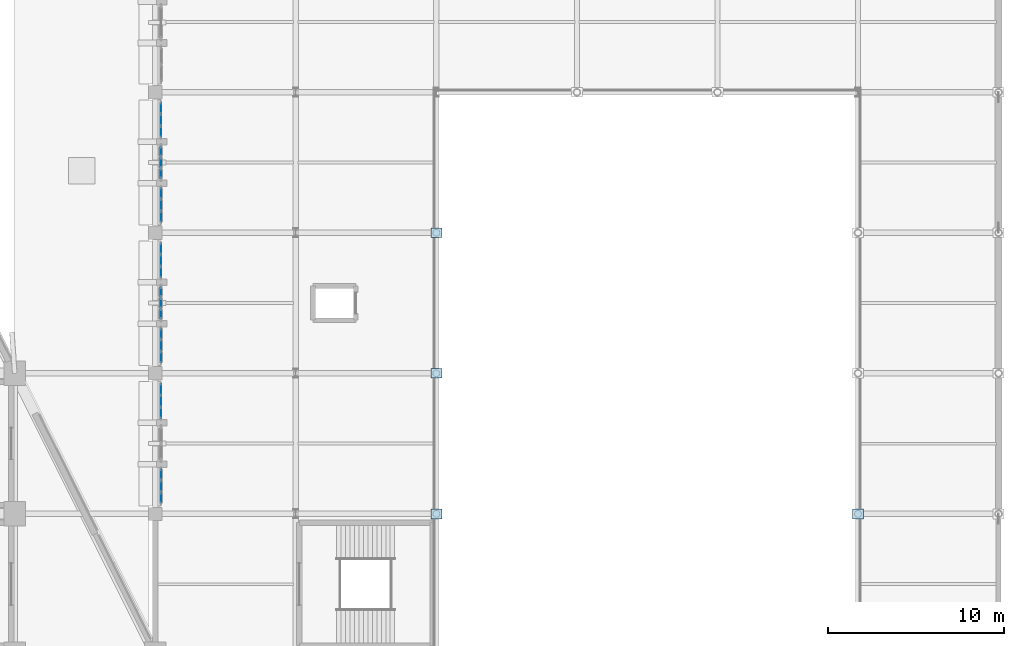
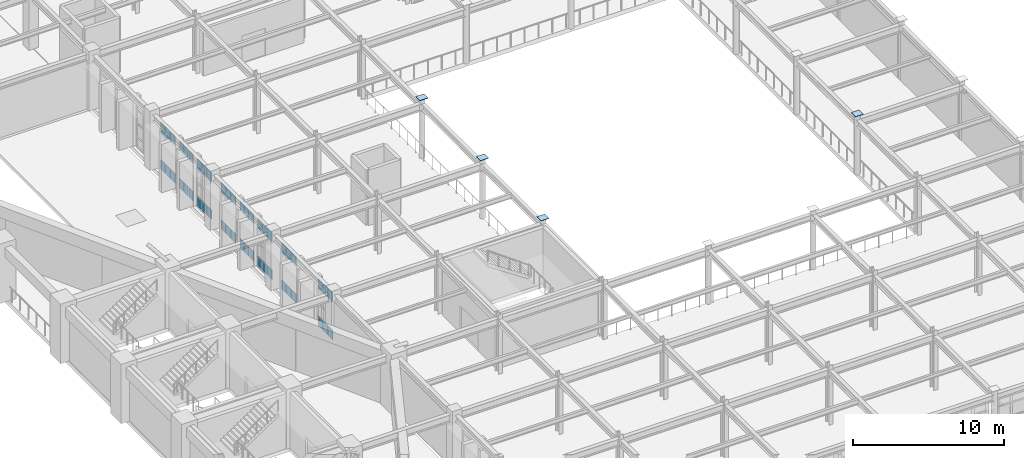
# One storey, part 130 of 155: 52 plates, 8 elements without a shape of their own.
"""IFC4 building model written with IfcOpenShell, lengths in metres."""

from ifc_helpers import new_model, si_unit, direction, frame, origin, origin_2d, place, context, subcontext, project, spatial, rectangle, extrude, material, layer, layer_set, type_object, element, aggregate, save


model = new_model("IFC4")

# Units and contexts
model_context = context("Model", 3, precision=1e-05, world=origin(), true_north=direction((0.0, 1.0)))
body_context = subcontext(model_context, "Body", "Model", "MODEL_VIEW")
ifc_project = project(units=[si_unit("LENGTHUNIT", "METRE"), si_unit("AREAUNIT", "SQUARE_METRE"), si_unit("VOLUMEUNIT", "CUBIC_METRE"), si_unit("PLANEANGLEUNIT", "RADIAN"), si_unit("MASSUNIT", "GRAM", prefix="KILO")], contexts=[model_context])

# Site, building, storey
site_placement = place(None, origin())
site = spatial("IfcSite", under=ifc_project, at=site_placement, CompositionType="ELEMENT")
building_placement = place(site_placement, origin())
building = spatial("IfcBuilding", under=site, at=building_placement, Name="Tazarka Park Arena", CompositionType="ELEMENT")
storey_placement = place(building_placement, frame((0.0, 0.0, 5.39990234375)))
storey = spatial("IfcBuildingStorey", under=building, at=storey_placement, Name="L01", CompositionType="ELEMENT", Elevation=5.39990234375)

# Curtain wall, plates
ifc_material_1 = material(Name="Aluminium and low-e glass", Category="aluminium")
ifc_layer_1 = layer(ifc_material_1, 0.179931640625, Name="Aluminium and low-e glass")
ifc_layer_set_1 = layer_set([ifc_layer_1], Name="Aluminium and low-e glass")
curtain_wall_type_1 = type_object("IfcCurtainWallType", Name="CW-03", PredefinedType="NOTDEFINED", material=ifc_layer_set_1)
curtain_wall_1_placement = place(storey_placement, origin())
curtain_wall_1 = element("IfcCurtainWall", 1, at=curtain_wall_1_placement, inside=storey, type_object=curtain_wall_type_1, Name="Curtain Wall CWA-L01-153", PredefinedType="NOTDEFINED")
ifc_material_2 = material(Name="Double low-e insulated glazing", Category="glass")
ifc_layer_2 = layer(ifc_material_2, 0.028076171875, Name="Double low-e insulated glazing")
ifc_layer_set_2 = layer_set([ifc_layer_2], Name="Double low-e insulated glazing")
plate_type_1 = type_object("IfcPlateType", Name="CWP-01", PredefinedType="CURTAIN_PANEL", material=ifc_layer_set_2)
plate_1_placement = place(storey_placement, frame((136.320068359375, 93.750244140625, 0.065185546875), z_axis=(0.0, 0.0, 1.0), x_axis=(0.0, 1.0, 0.0)))
plate_1 = element("IfcPlate", 2, at=plate_1_placement, type_object=plate_type_1, Name="CW-03 panel 1.1", PredefinedType="CURTAIN_PANEL", context=body_context, shape_type="SweptSolid", body=[
    extrude(rectangle(XDim=0.5869140625, YDim=0.028076171875, at=origin_2d()), origin(), (0.0, 0.0, 1.0), 0.75244140625),
])
plate_2_placement = place(storey_placement, frame((136.320068359375, 93.750244140625, 3.08251953125), z_axis=(0.0, 0.0, 1.0), x_axis=(0.0, 1.0, 0.0)))
plate_2 = element("IfcPlate", 3, at=plate_2_placement, type_object=plate_type_1, Name="CW-03 panel 1.4", PredefinedType="CURTAIN_PANEL", context=body_context, shape_type="SweptSolid", body=[
    extrude(rectangle(XDim=0.5869140625, YDim=0.028076171875, at=origin_2d()), origin(), (0.0, 0.0, 1.0), 0.762451171875),
])
plate_3_placement = place(storey_placement, frame((136.320068359375, 94.41845703125, 0.065185546875), z_axis=(0.0, 0.0, 1.0), x_axis=(0.0, 1.0, 0.0)))
plate_3 = element("IfcPlate", 4, at=plate_3_placement, type_object=plate_type_1, Name="CW-03 panel 2.1", PredefinedType="CURTAIN_PANEL", context=body_context, shape_type="SweptSolid", body=[
    extrude(rectangle(XDim=0.619384765625, YDim=0.028076171875, at=origin_2d()), origin(), (0.0, 0.0, 1.0), 0.75244140625),
])
plate_4_placement = place(storey_placement, frame((136.320068359375, 94.41845703125, 3.08251953125), z_axis=(0.0, 0.0, 1.0), x_axis=(0.0, 1.0, 0.0)))
plate_4 = element("IfcPlate", 5, at=plate_4_placement, type_object=plate_type_1, Name="CW-03 panel 2.4", PredefinedType="CURTAIN_PANEL", context=body_context, shape_type="SweptSolid", body=[
    extrude(rectangle(XDim=0.619384765625, YDim=0.028076171875, at=origin_2d()), origin(), (0.0, 0.0, 1.0), 0.762451171875),
])
plate_5_placement = place(storey_placement, frame((136.320068359375, 95.08642578125, 0.065185546875), z_axis=(0.0, 0.0, 1.0), x_axis=(0.0, 1.0, 0.0)))
plate_5 = element("IfcPlate", 6, at=plate_5_placement, type_object=plate_type_1, Name="CW-03 panel 3.1", PredefinedType="CURTAIN_PANEL", context=body_context, shape_type="SweptSolid", body=[
    extrude(rectangle(XDim=0.5869140625, YDim=0.028076171875, at=origin_2d()), origin(), (0.0, 0.0, 1.0), 0.75244140625),
])
plate_6_placement = place(storey_placement, frame((136.320068359375, 95.08642578125, 3.08251953125), z_axis=(0.0, 0.0, 1.0), x_axis=(0.0, 1.0, 0.0)))
plate_6 = element("IfcPlate", 7, at=plate_6_placement, type_object=plate_type_1, Name="CW-03 panel 3.4", PredefinedType="CURTAIN_PANEL", context=body_context, shape_type="SweptSolid", body=[
    extrude(rectangle(XDim=0.5869140625, YDim=0.028076171875, at=origin_2d()), origin(), (0.0, 0.0, 1.0), 0.762451171875),
])
aggregate(curtain_wall_1, [plate_1, plate_2, plate_3, plate_4, plate_5, plate_6])

ifc_material_3 = material(Name="Aluminium and low-e glass", Category="aluminium")
ifc_layer_3 = layer(ifc_material_3, 0.179931640625, Name="Aluminium and low-e glass")
ifc_layer_set_3 = layer_set([ifc_layer_3], Name="Aluminium and low-e glass")
curtain_wall_type_2 = type_object("IfcCurtainWallType", Name="CW-06", PredefinedType="NOTDEFINED", material=ifc_layer_set_3)
curtain_wall_2_placement = place(storey_placement, origin())
curtain_wall_2 = element("IfcCurtainWall", 8, at=curtain_wall_2_placement, inside=storey, type_object=curtain_wall_type_2, Name="Curtain Wall CWA-L01-156", PredefinedType="NOTDEFINED")
plate_7_placement = place(storey_placement, frame((136.320068359375, 85.750244140625, 0.065185546875), z_axis=(0.0, 0.0, 1.0), x_axis=(0.0, 1.0, 0.0)))
plate_7 = element("IfcPlate", 9, at=plate_7_placement, type_object=plate_type_1, Name="CW-06 panel 1.1", PredefinedType="CURTAIN_PANEL", context=body_context, shape_type="SweptSolid", body=[
    extrude(rectangle(XDim=0.5869140625, YDim=0.028076171875, at=origin_2d()), origin(), (0.0, 0.0, 1.0), 0.75244140625),
])
plate_8_placement = place(storey_placement, frame((136.320068359375, 85.750244140625, 3.08251953125), z_axis=(0.0, 0.0, 1.0), x_axis=(0.0, 1.0, 0.0)))
plate_8 = element("IfcPlate", 10, at=plate_8_placement, type_object=plate_type_1, Name="CW-06 panel 1.4", PredefinedType="CURTAIN_PANEL", context=body_context, shape_type="SweptSolid", body=[
    extrude(rectangle(XDim=0.5869140625, YDim=0.028076171875, at=origin_2d()), origin(), (0.0, 0.0, 1.0), 0.75244140625),
])
plate_9_placement = place(storey_placement, frame((136.320068359375, 86.41845703125, 0.065185546875), z_axis=(0.0, 0.0, 1.0), x_axis=(0.0, 1.0, 0.0)))
plate_9 = element("IfcPlate", 11, at=plate_9_placement, type_object=plate_type_1, Name="CW-06 panel 2.1", PredefinedType="CURTAIN_PANEL", context=body_context, shape_type="SweptSolid", body=[
    extrude(rectangle(XDim=0.619384765625, YDim=0.028076171875, at=origin_2d()), origin(), (0.0, 0.0, 1.0), 0.75244140625),
])
plate_10_placement = place(storey_placement, frame((136.320068359375, 86.41845703125, 3.08251953125), z_axis=(0.0, 0.0, 1.0), x_axis=(0.0, 1.0, 0.0)))
plate_10 = element("IfcPlate", 12, at=plate_10_placement, type_object=plate_type_1, Name="CW-06 panel 2.4", PredefinedType="CURTAIN_PANEL", context=body_context, shape_type="SweptSolid", body=[
    extrude(rectangle(XDim=0.619384765625, YDim=0.028076171875, at=origin_2d()), origin(), (0.0, 0.0, 1.0), 0.75244140625),
])
plate_11_placement = place(storey_placement, frame((136.320068359375, 87.08642578125, 0.065185546875), z_axis=(0.0, 0.0, 1.0), x_axis=(0.0, 1.0, 0.0)))
plate_11 = element("IfcPlate", 13, at=plate_11_placement, type_object=plate_type_1, Name="CW-06 panel 3.1", PredefinedType="CURTAIN_PANEL", context=body_context, shape_type="SweptSolid", body=[
    extrude(rectangle(XDim=0.5869140625, YDim=0.028076171875, at=origin_2d()), origin(), (0.0, 0.0, 1.0), 0.75244140625),
])
plate_12_placement = place(storey_placement, frame((136.320068359375, 87.08642578125, 3.08251953125), z_axis=(0.0, 0.0, 1.0), x_axis=(0.0, 1.0, 0.0)))
plate_12 = element("IfcPlate", 14, at=plate_12_placement, type_object=plate_type_1, Name="CW-06 panel 3.4", PredefinedType="CURTAIN_PANEL", context=body_context, shape_type="SweptSolid", body=[
    extrude(rectangle(XDim=0.5869140625, YDim=0.028076171875, at=origin_2d()), origin(), (0.0, 0.0, 1.0), 0.75244140625),
])
aggregate(curtain_wall_2, [plate_7, plate_8, plate_9, plate_10, plate_11, plate_12])

ifc_material_4 = material(Name="Aluminium and low-e glass", Category="aluminium")
ifc_layer_4 = layer(ifc_material_4, 0.179931640625, Name="Aluminium and low-e glass")
ifc_layer_set_4 = layer_set([ifc_layer_4], Name="Aluminium and low-e glass")
curtain_wall_type_3 = type_object("IfcCurtainWallType", Name="CW-09", PredefinedType="NOTDEFINED", material=ifc_layer_set_4)
curtain_wall_3_placement = place(storey_placement, origin())
curtain_wall_3 = element("IfcCurtainWall", 15, at=curtain_wall_3_placement, inside=storey, type_object=curtain_wall_type_3, Name="Curtain Wall CWA-L01-159", PredefinedType="NOTDEFINED")
plate_13_placement = place(storey_placement, frame((136.320068359375, 77.750244140625, 0.065185546875), z_axis=(0.0, 0.0, 1.0), x_axis=(0.0, 1.0, 0.0)))
plate_13 = element("IfcPlate", 16, at=plate_13_placement, type_object=plate_type_1, Name="CW-09 panel 1.1", PredefinedType="CURTAIN_PANEL", context=body_context, shape_type="SweptSolid", body=[
    extrude(rectangle(XDim=0.5869140625, YDim=0.028076171875, at=origin_2d()), origin(), (0.0, 0.0, 1.0), 0.75244140625),
])
plate_14_placement = place(storey_placement, frame((136.320068359375, 77.750244140625, 3.08251953125), z_axis=(0.0, 0.0, 1.0), x_axis=(0.0, 1.0, 0.0)))
plate_14 = element("IfcPlate", 17, at=plate_14_placement, type_object=plate_type_1, Name="CW-09 panel 1.4", PredefinedType="CURTAIN_PANEL", context=body_context, shape_type="SweptSolid", body=[
    extrude(rectangle(XDim=0.5869140625, YDim=0.028076171875, at=origin_2d()), origin(), (0.0, 0.0, 1.0), 0.75244140625),
])
plate_15_placement = place(storey_placement, frame((136.320068359375, 78.41845703125, 0.065185546875), z_axis=(0.0, 0.0, 1.0), x_axis=(0.0, 1.0, 0.0)))
plate_15 = element("IfcPlate", 18, at=plate_15_placement, type_object=plate_type_1, Name="CW-09 panel 2.1", PredefinedType="CURTAIN_PANEL", context=body_context, shape_type="SweptSolid", body=[
    extrude(rectangle(XDim=0.619384765625, YDim=0.028076171875, at=origin_2d()), origin(), (0.0, 0.0, 1.0), 0.75244140625),
])
plate_16_placement = place(storey_placement, frame((136.320068359375, 78.41845703125, 3.08251953125), z_axis=(0.0, 0.0, 1.0), x_axis=(0.0, 1.0, 0.0)))
plate_16 = element("IfcPlate", 19, at=plate_16_placement, type_object=plate_type_1, Name="CW-09 panel 2.4", PredefinedType="CURTAIN_PANEL", context=body_context, shape_type="SweptSolid", body=[
    extrude(rectangle(XDim=0.619384765625, YDim=0.028076171875, at=origin_2d()), origin(), (0.0, 0.0, 1.0), 0.75244140625),
])
plate_17_placement = place(storey_placement, frame((136.320068359375, 79.08642578125, 0.065185546875), z_axis=(0.0, 0.0, 1.0), x_axis=(0.0, 1.0, 0.0)))
plate_17 = element("IfcPlate", 20, at=plate_17_placement, type_object=plate_type_1, Name="CW-09 panel 3.1", PredefinedType="CURTAIN_PANEL", context=body_context, shape_type="SweptSolid", body=[
    extrude(rectangle(XDim=0.5869140625, YDim=0.028076171875, at=origin_2d()), origin(), (0.0, 0.0, 1.0), 0.75244140625),
])
plate_18_placement = place(storey_placement, frame((136.320068359375, 79.08642578125, 3.08251953125), z_axis=(0.0, 0.0, 1.0), x_axis=(0.0, 1.0, 0.0)))
plate_18 = element("IfcPlate", 21, at=plate_18_placement, type_object=plate_type_1, Name="CW-09 panel 3.4", PredefinedType="CURTAIN_PANEL", context=body_context, shape_type="SweptSolid", body=[
    extrude(rectangle(XDim=0.5869140625, YDim=0.028076171875, at=origin_2d()), origin(), (0.0, 0.0, 1.0), 0.75244140625),
])
aggregate(curtain_wall_3, [plate_13, plate_14, plate_15, plate_16, plate_17, plate_18])

ifc_material_5 = material(Name="Aluminium and low-e glass", Category="aluminium")
ifc_layer_5 = layer(ifc_material_5, 0.179931640625, Name="Aluminium and low-e glass")
ifc_layer_set_5 = layer_set([ifc_layer_5], Name="Aluminium and low-e glass")
curtain_wall_type_4 = type_object("IfcCurtainWallType", Name="CW-01", PredefinedType="NOTDEFINED", material=ifc_layer_set_5)
curtain_wall_4_placement = place(storey_placement, origin())
curtain_wall_4 = element("IfcCurtainWall", 22, at=curtain_wall_4_placement, inside=storey, type_object=curtain_wall_type_4, Name="Curtain Wall CWA-L01-151", PredefinedType="NOTDEFINED")
ifc_material_6 = material(Name="Triple acoustic solar glazing", Category="glass")
ifc_layer_6 = layer(ifc_material_6, 0.031982421875, Name="Triple acoustic solar glazing")
ifc_layer_set_6 = layer_set([ifc_layer_6], Name="Triple acoustic solar glazing")
plate_type_2 = type_object("IfcPlateType", Name="CWP-02", PredefinedType="CURTAIN_PANEL", material=ifc_layer_set_6)
plate_19_placement = place(storey_placement, frame((136.320068359375, 88.91357421875, 0.065185546875), z_axis=(0.0, 0.0, 1.0), x_axis=(0.0, 1.0, 0.0)))
plate_19 = element("IfcPlate", 23, at=plate_19_placement, type_object=plate_type_2, Name="CW-01 panel 1.1", PredefinedType="CURTAIN_PANEL", context=body_context, shape_type="SweptSolid", body=[
    extrude(rectangle(XDim=0.5869140625, YDim=0.031982421875, at=origin_2d()), origin(), (0.0, 0.0, 1.0), 0.75244140625),
])
plate_20_placement = place(storey_placement, frame((136.320068359375, 88.91357421875, 3.08251953125), z_axis=(0.0, 0.0, 1.0), x_axis=(0.0, 1.0, 0.0)))
plate_20 = element("IfcPlate", 24, at=plate_20_placement, type_object=plate_type_2, Name="CW-01 panel 1.4", PredefinedType="CURTAIN_PANEL", context=body_context, shape_type="SweptSolid", body=[
    extrude(rectangle(XDim=0.5869140625, YDim=0.031982421875, at=origin_2d()), origin(), (0.0, 0.0, 1.0), 0.762451171875),
])
plate_21_placement = place(storey_placement, frame((136.320068359375, 89.58154296875, 0.065185546875), z_axis=(0.0, 0.0, 1.0), x_axis=(0.0, 1.0, 0.0)))
plate_21 = element("IfcPlate", 25, at=plate_21_placement, type_object=plate_type_2, Name="CW-01 panel 2.1", PredefinedType="CURTAIN_PANEL", context=body_context, shape_type="SweptSolid", body=[
    extrude(rectangle(XDim=0.619384765625, YDim=0.031982421875, at=origin_2d()), origin(), (0.0, 0.0, 1.0), 0.75244140625),
])
plate_22_placement = place(storey_placement, frame((136.320068359375, 89.58154296875, 3.08251953125), z_axis=(0.0, 0.0, 1.0), x_axis=(0.0, 1.0, 0.0)))
plate_22 = element("IfcPlate", 26, at=plate_22_placement, type_object=plate_type_2, Name="CW-01 panel 2.4", PredefinedType="CURTAIN_PANEL", context=body_context, shape_type="SweptSolid", body=[
    extrude(rectangle(XDim=0.619384765625, YDim=0.031982421875, at=origin_2d()), origin(), (0.0, 0.0, 1.0), 0.762451171875),
])
plate_23_placement = place(storey_placement, frame((136.320068359375, 90.249755859375, 0.065185546875), z_axis=(0.0, 0.0, 1.0), x_axis=(0.0, 1.0, 0.0)))
plate_23 = element("IfcPlate", 27, at=plate_23_placement, type_object=plate_type_2, Name="CW-01 panel 3.1", PredefinedType="CURTAIN_PANEL", context=body_context, shape_type="SweptSolid", body=[
    extrude(rectangle(XDim=0.5869140625, YDim=0.031982421875, at=origin_2d()), origin(), (0.0, 0.0, 1.0), 0.75244140625),
])
plate_24_placement = place(storey_placement, frame((136.320068359375, 90.249755859375, 3.08251953125), z_axis=(0.0, 0.0, 1.0), x_axis=(0.0, 1.0, 0.0)))
plate_24 = element("IfcPlate", 28, at=plate_24_placement, type_object=plate_type_2, Name="CW-01 panel 3.4", PredefinedType="CURTAIN_PANEL", context=body_context, shape_type="SweptSolid", body=[
    extrude(rectangle(XDim=0.5869140625, YDim=0.031982421875, at=origin_2d()), origin(), (0.0, 0.0, 1.0), 0.762451171875),
])
aggregate(curtain_wall_4, [plate_19, plate_20, plate_21, plate_22, plate_23, plate_24])

ifc_material_7 = material(Name="Aluminium and low-e glass", Category="aluminium")
ifc_layer_7 = layer(ifc_material_7, 0.179931640625, Name="Aluminium and low-e glass")
ifc_layer_set_7 = layer_set([ifc_layer_7], Name="Aluminium and low-e glass")
curtain_wall_type_5 = type_object("IfcCurtainWallType", Name="CW-04", PredefinedType="NOTDEFINED", material=ifc_layer_set_7)
curtain_wall_5_placement = place(storey_placement, origin())
curtain_wall_5 = element("IfcCurtainWall", 29, at=curtain_wall_5_placement, inside=storey, type_object=curtain_wall_type_5, Name="Curtain Wall CWA-L01-154", PredefinedType="NOTDEFINED")
plate_25_placement = place(storey_placement, frame((136.320068359375, 80.91357421875, 0.065185546875), z_axis=(0.0, 0.0, 1.0), x_axis=(0.0, 1.0, 0.0)))
plate_25 = element("IfcPlate", 30, at=plate_25_placement, type_object=plate_type_2, Name="CW-04 panel 1.1", PredefinedType="CURTAIN_PANEL", context=body_context, shape_type="SweptSolid", body=[
    extrude(rectangle(XDim=0.5869140625, YDim=0.031982421875, at=origin_2d()), origin(), (0.0, 0.0, 1.0), 0.75244140625),
])
plate_26_placement = place(storey_placement, frame((136.320068359375, 80.91357421875, 3.08251953125), z_axis=(0.0, 0.0, 1.0), x_axis=(0.0, 1.0, 0.0)))
plate_26 = element("IfcPlate", 31, at=plate_26_placement, type_object=plate_type_2, Name="CW-04 panel 1.4", PredefinedType="CURTAIN_PANEL", context=body_context, shape_type="SweptSolid", body=[
    extrude(rectangle(XDim=0.5869140625, YDim=0.031982421875, at=origin_2d()), origin(), (0.0, 0.0, 1.0), 0.75244140625),
])
plate_27_placement = place(storey_placement, frame((136.320068359375, 81.58154296875, 0.065185546875), z_axis=(0.0, 0.0, 1.0), x_axis=(0.0, 1.0, 0.0)))
plate_27 = element("IfcPlate", 32, at=plate_27_placement, type_object=plate_type_2, Name="CW-04 panel 2.1", PredefinedType="CURTAIN_PANEL", context=body_context, shape_type="SweptSolid", body=[
    extrude(rectangle(XDim=0.619384765625, YDim=0.031982421875, at=origin_2d()), origin(), (0.0, 0.0, 1.0), 0.75244140625),
])
plate_28_placement = place(storey_placement, frame((136.320068359375, 81.58154296875, 3.08251953125), z_axis=(0.0, 0.0, 1.0), x_axis=(0.0, 1.0, 0.0)))
plate_28 = element("IfcPlate", 33, at=plate_28_placement, type_object=plate_type_2, Name="CW-04 panel 2.4", PredefinedType="CURTAIN_PANEL", context=body_context, shape_type="SweptSolid", body=[
    extrude(rectangle(XDim=0.619384765625, YDim=0.031982421875, at=origin_2d()), origin(), (0.0, 0.0, 1.0), 0.75244140625),
])
plate_29_placement = place(storey_placement, frame((136.320068359375, 82.249755859375, 0.065185546875), z_axis=(0.0, 0.0, 1.0), x_axis=(0.0, 1.0, 0.0)))
plate_29 = element("IfcPlate", 34, at=plate_29_placement, type_object=plate_type_2, Name="CW-04 panel 3.1", PredefinedType="CURTAIN_PANEL", context=body_context, shape_type="SweptSolid", body=[
    extrude(rectangle(XDim=0.5869140625, YDim=0.031982421875, at=origin_2d()), origin(), (0.0, 0.0, 1.0), 0.75244140625),
])
plate_30_placement = place(storey_placement, frame((136.320068359375, 82.249755859375, 3.08251953125), z_axis=(0.0, 0.0, 1.0), x_axis=(0.0, 1.0, 0.0)))
plate_30 = element("IfcPlate", 35, at=plate_30_placement, type_object=plate_type_2, Name="CW-04 panel 3.4", PredefinedType="CURTAIN_PANEL", context=body_context, shape_type="SweptSolid", body=[
    extrude(rectangle(XDim=0.5869140625, YDim=0.031982421875, at=origin_2d()), origin(), (0.0, 0.0, 1.0), 0.75244140625),
])
aggregate(curtain_wall_5, [plate_25, plate_26, plate_27, plate_28, plate_29, plate_30])

ifc_material_8 = material(Name="Aluminium and low-e glass", Category="aluminium")
ifc_layer_8 = layer(ifc_material_8, 0.179931640625, Name="Aluminium and low-e glass")
ifc_layer_set_8 = layer_set([ifc_layer_8], Name="Aluminium and low-e glass")
curtain_wall_type_6 = type_object("IfcCurtainWallType", Name="CW-07", PredefinedType="NOTDEFINED", material=ifc_layer_set_8)
curtain_wall_6_placement = place(storey_placement, origin())
curtain_wall_6 = element("IfcCurtainWall", 36, at=curtain_wall_6_placement, inside=storey, type_object=curtain_wall_type_6, Name="Curtain Wall CWA-L01-157", PredefinedType="NOTDEFINED")
plate_31_placement = place(storey_placement, frame((136.320068359375, 72.91357421875, 0.065185546875), z_axis=(0.0, 0.0, 1.0), x_axis=(0.0, 1.0, 0.0)))
plate_31 = element("IfcPlate", 37, at=plate_31_placement, type_object=plate_type_2, Name="CW-07 panel 1.1", PredefinedType="CURTAIN_PANEL", context=body_context, shape_type="SweptSolid", body=[
    extrude(rectangle(XDim=0.5869140625, YDim=0.031982421875, at=origin_2d()), origin(), (0.0, 0.0, 1.0), 0.75244140625),
])
plate_32_placement = place(storey_placement, frame((136.320068359375, 72.91357421875, 3.08251953125), z_axis=(0.0, 0.0, 1.0), x_axis=(0.0, 1.0, 0.0)))
plate_32 = element("IfcPlate", 38, at=plate_32_placement, type_object=plate_type_2, Name="CW-07 panel 1.4", PredefinedType="CURTAIN_PANEL", context=body_context, shape_type="SweptSolid", body=[
    extrude(rectangle(XDim=0.5869140625, YDim=0.031982421875, at=origin_2d()), origin(), (0.0, 0.0, 1.0), 0.75244140625),
])
plate_33_placement = place(storey_placement, frame((136.320068359375, 73.58154296875, 0.065185546875), z_axis=(0.0, 0.0, 1.0), x_axis=(0.0, 1.0, 0.0)))
plate_33 = element("IfcPlate", 39, at=plate_33_placement, type_object=plate_type_2, Name="CW-07 panel 2.1", PredefinedType="CURTAIN_PANEL", context=body_context, shape_type="SweptSolid", body=[
    extrude(rectangle(XDim=0.619384765625, YDim=0.031982421875, at=origin_2d()), origin(), (0.0, 0.0, 1.0), 0.75244140625),
])
plate_34_placement = place(storey_placement, frame((136.320068359375, 73.58154296875, 3.08251953125), z_axis=(0.0, 0.0, 1.0), x_axis=(0.0, 1.0, 0.0)))
plate_34 = element("IfcPlate", 40, at=plate_34_placement, type_object=plate_type_2, Name="CW-07 panel 2.4", PredefinedType="CURTAIN_PANEL", context=body_context, shape_type="SweptSolid", body=[
    extrude(rectangle(XDim=0.619384765625, YDim=0.031982421875, at=origin_2d()), origin(), (0.0, 0.0, 1.0), 0.75244140625),
])
plate_35_placement = place(storey_placement, frame((136.320068359375, 74.249755859375, 0.065185546875), z_axis=(0.0, 0.0, 1.0), x_axis=(0.0, 1.0, 0.0)))
plate_35 = element("IfcPlate", 41, at=plate_35_placement, type_object=plate_type_2, Name="CW-07 panel 3.1", PredefinedType="CURTAIN_PANEL", context=body_context, shape_type="SweptSolid", body=[
    extrude(rectangle(XDim=0.5869140625, YDim=0.031982421875, at=origin_2d()), origin(), (0.0, 0.0, 1.0), 0.75244140625),
])
plate_36_placement = place(storey_placement, frame((136.320068359375, 74.249755859375, 3.08251953125), z_axis=(0.0, 0.0, 1.0), x_axis=(0.0, 1.0, 0.0)))
plate_36 = element("IfcPlate", 42, at=plate_36_placement, type_object=plate_type_2, Name="CW-07 panel 3.4", PredefinedType="CURTAIN_PANEL", context=body_context, shape_type="SweptSolid", body=[
    extrude(rectangle(XDim=0.5869140625, YDim=0.031982421875, at=origin_2d()), origin(), (0.0, 0.0, 1.0), 0.75244140625),
])
aggregate(curtain_wall_6, [plate_31, plate_32, plate_33, plate_34, plate_35, plate_36])

ifc_material_9 = material(Name="Aluminium and low-e glass", Category="aluminium")
ifc_layer_9 = layer(ifc_material_9, 0.179931640625, Name="Aluminium and low-e glass")
ifc_layer_set_9 = layer_set([ifc_layer_9], Name="Aluminium and low-e glass")
curtain_wall_type_7 = type_object("IfcCurtainWallType", Name="CW-02", PredefinedType="NOTDEFINED", material=ifc_layer_set_9)
curtain_wall_7_placement = place(storey_placement, origin())
curtain_wall_7 = element("IfcCurtainWall", 43, at=curtain_wall_7_placement, inside=storey, type_object=curtain_wall_type_7, Name="Curtain Wall CWA-L01-152", PredefinedType="NOTDEFINED")
ifc_material_10 = material(Name="Insulated aluminium spandrel panel", Category="aluminium")
ifc_layer_10 = layer(ifc_material_10, 0.035888671875, Name="Insulated aluminium spandrel panel")
ifc_layer_set_10 = layer_set([ifc_layer_10], Name="Insulated aluminium spandrel panel")
plate_type_3 = type_object("IfcPlateType", Name="CWP-03", PredefinedType="CURTAIN_PANEL", material=ifc_layer_set_10)
plate_37_placement = place(storey_placement, frame((136.320068359375, 91.370849609375, 0.0751953125), z_axis=(0.0, 0.0, 1.0), x_axis=(0.0, 1.0, 0.0)))
plate_37 = element("IfcPlate", 44, at=plate_37_placement, type_object=plate_type_3, Name="CW-02 panel 1.1", PredefinedType="CURTAIN_PANEL", context=body_context, shape_type="SweptSolid", body=[
    extrude(rectangle(XDim=0.535400390625, YDim=0.035888671875, at=origin_2d()), origin(), (0.0, 0.0, 1.0), 0.737548828125),
])
plate_38_placement = place(storey_placement, frame((136.320068359375, 91.370849609375, 3.087646484375), z_axis=(0.0, 0.0, 1.0), x_axis=(0.0, 1.0, 0.0)))
plate_38 = element("IfcPlate", 45, at=plate_38_placement, type_object=plate_type_3, Name="CW-02 panel 1.4", PredefinedType="CURTAIN_PANEL", context=body_context, shape_type="SweptSolid", body=[
    extrude(rectangle(XDim=0.535400390625, YDim=0.035888671875, at=origin_2d()), origin(), (0.0, 0.0, 1.0), 0.74755859375),
])
plate_39_placement = place(storey_placement, frame((136.320068359375, 92.0, 0.0751953125), z_axis=(0.0, 0.0, 1.0), x_axis=(0.0, 1.0, 0.0)))
plate_39 = element("IfcPlate", 46, at=plate_39_placement, type_object=plate_type_3, Name="CW-02 panel 2.1", PredefinedType="CURTAIN_PANEL", context=body_context, shape_type="SweptSolid", body=[
    extrude(rectangle(XDim=0.57275390625, YDim=0.035888671875, at=origin_2d()), origin(), (0.0, 0.0, 1.0), 0.737548828125),
])
plate_40_placement = place(storey_placement, frame((136.320068359375, 92.0, 3.087646484375), z_axis=(0.0, 0.0, 1.0), x_axis=(0.0, 1.0, 0.0)))
plate_40 = element("IfcPlate", 47, at=plate_40_placement, type_object=plate_type_3, Name="CW-02 panel 2.4", PredefinedType="CURTAIN_PANEL", context=body_context, shape_type="SweptSolid", body=[
    extrude(rectangle(XDim=0.57275390625, YDim=0.035888671875, at=origin_2d()), origin(), (0.0, 0.0, 1.0), 0.74755859375),
])
plate_41_placement = place(storey_placement, frame((136.320068359375, 92.629150390625, 0.0751953125), z_axis=(0.0, 0.0, 1.0), x_axis=(0.0, 1.0, 0.0)))
plate_41 = element("IfcPlate", 48, at=plate_41_placement, type_object=plate_type_3, Name="CW-02 panel 3.1", PredefinedType="CURTAIN_PANEL", context=body_context, shape_type="SweptSolid", body=[
    extrude(rectangle(XDim=0.535400390625, YDim=0.035888671875, at=origin_2d()), origin(), (0.0, 0.0, 1.0), 0.737548828125),
])
plate_42_placement = place(storey_placement, frame((136.320068359375, 92.629150390625, 3.087646484375), z_axis=(0.0, 0.0, 1.0), x_axis=(0.0, 1.0, 0.0)))
plate_42 = element("IfcPlate", 49, at=plate_42_placement, type_object=plate_type_3, Name="CW-02 panel 3.4", PredefinedType="CURTAIN_PANEL", context=body_context, shape_type="SweptSolid", body=[
    extrude(rectangle(XDim=0.535400390625, YDim=0.035888671875, at=origin_2d()), origin(), (0.0, 0.0, 1.0), 0.74755859375),
])
aggregate(curtain_wall_7, [plate_37, plate_38, plate_39, plate_40, plate_41, plate_42])

ifc_material_11 = material(Name="Aluminium and low-e glass", Category="aluminium")
ifc_layer_11 = layer(ifc_material_11, 0.179931640625, Name="Aluminium and low-e glass")
ifc_layer_set_11 = layer_set([ifc_layer_11], Name="Aluminium and low-e glass")
curtain_wall_type_8 = type_object("IfcCurtainWallType", Name="CW-05", PredefinedType="NOTDEFINED", material=ifc_layer_set_11)
curtain_wall_8_placement = place(storey_placement, origin())
curtain_wall_8 = element("IfcCurtainWall", 50, at=curtain_wall_8_placement, inside=storey, type_object=curtain_wall_type_8, Name="Curtain Wall CWA-L01-155", PredefinedType="NOTDEFINED")
plate_43_placement = place(storey_placement, frame((136.320068359375, 83.370849609375, 0.0751953125), z_axis=(0.0, 0.0, 1.0), x_axis=(0.0, 1.0, 0.0)))
plate_43 = element("IfcPlate", 51, at=plate_43_placement, type_object=plate_type_3, Name="CW-05 panel 1.1", PredefinedType="CURTAIN_PANEL", context=body_context, shape_type="SweptSolid", body=[
    extrude(rectangle(XDim=0.535400390625, YDim=0.035888671875, at=origin_2d()), origin(), (0.0, 0.0, 1.0), 0.737548828125),
])
plate_44_placement = place(storey_placement, frame((136.320068359375, 83.370849609375, 3.08740234375), z_axis=(0.0, 0.0, 1.0), x_axis=(0.0, 1.0, 0.0)))
plate_44 = element("IfcPlate", 52, at=plate_44_placement, type_object=plate_type_3, Name="CW-05 panel 1.4", PredefinedType="CURTAIN_PANEL", context=body_context, shape_type="SweptSolid", body=[
    extrude(rectangle(XDim=0.535400390625, YDim=0.035888671875, at=origin_2d()), origin(), (0.0, 0.0, 1.0), 0.737548828125),
])
plate_45_placement = place(storey_placement, frame((136.320068359375, 84.0, 0.0751953125), z_axis=(0.0, 0.0, 1.0), x_axis=(0.0, 1.0, 0.0)))
plate_45 = element("IfcPlate", 53, at=plate_45_placement, type_object=plate_type_3, Name="CW-05 panel 2.1", PredefinedType="CURTAIN_PANEL", context=body_context, shape_type="SweptSolid", body=[
    extrude(rectangle(XDim=0.57275390625, YDim=0.035888671875, at=origin_2d()), origin(), (0.0, 0.0, 1.0), 0.737548828125),
])
plate_46_placement = place(storey_placement, frame((136.320068359375, 84.0, 3.08740234375), z_axis=(0.0, 0.0, 1.0), x_axis=(0.0, 1.0, 0.0)))
plate_46 = element("IfcPlate", 54, at=plate_46_placement, type_object=plate_type_3, Name="CW-05 panel 2.4", PredefinedType="CURTAIN_PANEL", context=body_context, shape_type="SweptSolid", body=[
    extrude(rectangle(XDim=0.57275390625, YDim=0.035888671875, at=origin_2d()), origin(), (0.0, 0.0, 1.0), 0.737548828125),
])
plate_47_placement = place(storey_placement, frame((136.320068359375, 84.629150390625, 0.0751953125), z_axis=(0.0, 0.0, 1.0), x_axis=(0.0, 1.0, 0.0)))
plate_47 = element("IfcPlate", 55, at=plate_47_placement, type_object=plate_type_3, Name="CW-05 panel 3.1", PredefinedType="CURTAIN_PANEL", context=body_context, shape_type="SweptSolid", body=[
    extrude(rectangle(XDim=0.535400390625, YDim=0.035888671875, at=origin_2d()), origin(), (0.0, 0.0, 1.0), 0.737548828125),
])
plate_48_placement = place(storey_placement, frame((136.320068359375, 84.629150390625, 3.08740234375), z_axis=(0.0, 0.0, 1.0), x_axis=(0.0, 1.0, 0.0)))
plate_48 = element("IfcPlate", 56, at=plate_48_placement, type_object=plate_type_3, Name="CW-05 panel 3.4", PredefinedType="CURTAIN_PANEL", context=body_context, shape_type="SweptSolid", body=[
    extrude(rectangle(XDim=0.535400390625, YDim=0.035888671875, at=origin_2d()), origin(), (0.0, 0.0, 1.0), 0.737548828125),
])
aggregate(curtain_wall_8, [plate_43, plate_44, plate_45, plate_46, plate_47, plate_48])

# Plates
ifc_material_12 = material(Name="Steel S460", Category="steel")
ifc_layer_12 = layer(ifc_material_12, 0.030029296875, Name="Steel S460")
ifc_layer_set_12 = layer_set([ifc_layer_12], Name="Steel S460")
plate_type_4 = type_object("IfcPlateType", Name="PLT-PL-01", PredefinedType="SHEET", material=ifc_layer_set_12)
for number, where, z_axis, x_axis, name in (
    (57, (152.0, 72.0, 4.80029296875), (0.0, 0.0, 1.0), (1.0, 0.0, 0.0), "CPL-L01-19-09"),
    (58, (152.0, 80.0, 4.80029296875), (0.0, 0.0, 1.0), (1.0, 0.0, 0.0), "CPL-L01-19-10"),
    (59, (152.0, 88.0, 4.80029296875), (0.0, 0.0, 1.0), (1.0, 0.0, 0.0), "CPL-L01-19-11"),
    (60, (176.0, 72.0, 4.80029296875), (0.0, 0.0, 1.0), (1.0, 0.0, 0.0), "CPL-L01-22-09"),
):
    element("IfcPlate", number, at=place(storey_placement, frame(where, z_axis=z_axis, x_axis=x_axis)), inside=storey, type_object=plate_type_4, Name=name, PredefinedType="SHEET", context=body_context, shape_type="SweptSolid", body=[
        extrude(rectangle(XDim=0.6201171875, YDim=0.56005859375, at=origin_2d()), origin(), (0.0, 0.0, 1.0), 0.030029296875),
    ])

save(model, "model.ifc")
